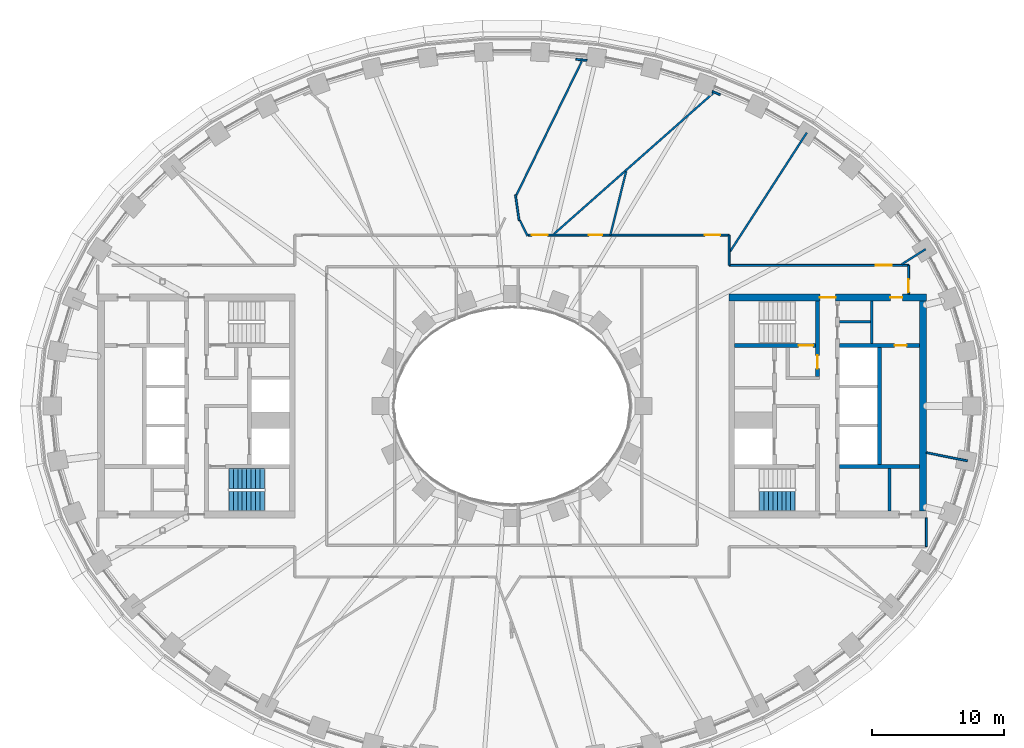
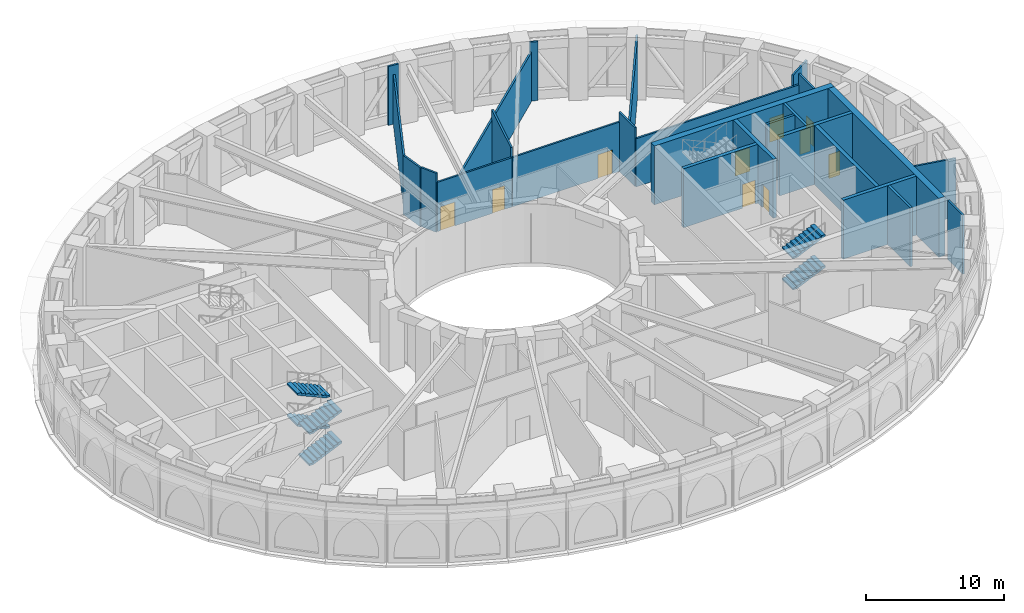
# One storey, part 9 of 25: 26 walls, 10 doors, 6 stair flights, 10 openings, 2 elements without a shape of their own.
"""IFC4 building model written with IfcOpenShell, lengths in metres."""

from ifc_helpers import new_model, si_unit, direction, frame, frame_2d, origin, place, context, subcontext, project, spatial, polyline, rectangle, outline, extrude, material, layer, layer_set, type_object, element, fill, aggregate, save


model = new_model("IFC4")

# Units and contexts
model_context = context("Model", 3, precision=1e-05, world=origin(), true_north=direction((0.0, 1.0)))
body_context = subcontext(model_context, "Body", "Model", "MODEL_VIEW")
ifc_project = project(units=[si_unit("LENGTHUNIT", "METRE"), si_unit("AREAUNIT", "SQUARE_METRE"), si_unit("VOLUMEUNIT", "CUBIC_METRE"), si_unit("PLANEANGLEUNIT", "RADIAN"), si_unit("MASSUNIT", "GRAM", prefix="KILO")], contexts=[model_context])

# Site, building, storey
site_placement = place(None, origin())
site = spatial("IfcSite", under=ifc_project, at=site_placement, CompositionType="ELEMENT")
building_placement = place(site_placement, origin())
building = spatial("IfcBuilding", under=site, at=building_placement, Name="Noorbagh Ring Tower", CompositionType="ELEMENT")
storey_placement = place(building_placement, frame((0.0, 0.0, 82.5)))
storey = spatial("IfcBuildingStorey", under=building, at=storey_placement, Name="L18", CompositionType="ELEMENT", Elevation=82.5)

# Walls
ifc_material_1 = material(Name="Gypsum board on steel studs", Category="steel")
ifc_layer_1 = layer(ifc_material_1, 0.14990234375)
ifc_layer_set_1 = layer_set([ifc_layer_1], Name="Gypsum board on steel studs")
wall_type_1 = type_object("IfcWallType", Name="COMPARTMENT PARTITION 150 EI 60", PredefinedType="PARTITIONING", material=ifc_layer_set_1)
wall_1_placement = place(storey_placement, frame((0.259033203125, 16.052001953125, 0.0), z_axis=(0.0, 0.0, 1.0), x_axis=(0.143027920195, -0.989718653984, 0.0)))
element("IfcWall", 1, at=wall_1_placement, inside=storey, type_object=wall_type_1, Name="L18/wall/P33", PredefinedType="PARTITIONING", context=body_context, shape_type="SweptSolid", body=[
    extrude(rectangle(XDim=1.978271484375, YDim=0.14990234375, at=frame_2d((0.9892578125, 0.0))), origin(), (0.0, 0.0, 1.0), 5.199951171875),
])
wall_2_placement = place(storey_placement, frame((0.3369140625, 16.0400390625, 0.0), z_axis=(0.0, 0.0, 1.0), x_axis=(0.439198527349, 0.898390034214, 0.0)))
element("IfcWall", 2, at=wall_2_placement, inside=storey, type_object=wall_type_1, Name="L18/wall/P34", PredefinedType="PARTITIONING", context=body_context, shape_type="SweptSolid", body=[
    extrude(rectangle(XDim=11.31982421875, YDim=0.14990234375, at=frame_2d((5.659912109375, 0.0))), origin(), (0.0, 0.0, 1.0), 4.39990234375),
])
wall_3_placement = place(storey_placement, frame((0.60791015625, 14.10791015625, 0.0), z_axis=(0.0, 0.0, 1.0), x_axis=(0.439708780633, -0.898140405635, 0.0)))
element("IfcWall", 3, at=wall_3_placement, inside=storey, type_object=wall_type_1, Name="L18/wall/P37", PredefinedType="PARTITIONING", context=body_context, shape_type="SweptSolid", body=[
    extrude(rectangle(XDim=1.31689453125, YDim=0.14990234375, at=frame_2d((0.658447265625, 0.0))), origin(), (0.0, 0.0, 1.0), 5.199951171875),
])

# Wall, openings, doors
wall_4_placement = place(storey_placement, frame((1.23291015625, 13.0, 0.0), z_axis=(0.0, 0.0, 1.0), x_axis=(1.0, 0.0, 0.0)))
wall_4 = element("IfcWall", 4, at=wall_4_placement, inside=storey, type_object=wall_type_1, Name="L18/wall/P39", PredefinedType="PARTITIONING", context=body_context, shape_type="SweptSolid", body=[
    extrude(rectangle(XDim=6.25, YDim=0.14990234375, at=frame_2d((3.125, 0.0))), origin(), (0.0, 0.0, 1.0), 4.35009765625),
])
opening_1_placement = place(wall_4_placement, frame((0.27099609375, 0.0, 0.0)))
opening_1 = element("IfcOpeningElement", 5, at=opening_1_placement, cuts=wall_4, Name="Opening D7", PredefinedType="OPENING", context=body_context, shape_type="SweptSolid", body=[
    extrude(rectangle(XDim=1.199951171875, YDim=2.10009765625, at=frame_2d((0.60009765625, 1.050048828125))), frame((0.0, 0.0849609375, 0.0), z_axis=(0.0, -1.0, 0.0), x_axis=(1.0, 0.0, 0.0)), (0.0, 0.0, 1.0), 0.169921875),
])
opening_2_placement = place(wall_4_placement, frame((4.615966796875, 0.0, 0.0)))
opening_2 = element("IfcOpeningElement", 6, at=opening_2_placement, cuts=wall_4, Name="Opening D6", PredefinedType="OPENING", context=body_context, shape_type="SweptSolid", body=[
    extrude(rectangle(XDim=1.0, YDim=2.10009765625, at=frame_2d((0.5, 1.050048828125))), frame((0.0, 0.0849609375, 0.0), z_axis=(0.0, -1.0, 0.0), x_axis=(1.0, 0.0, 0.0)), (0.0, 0.0, 1.0), 0.169921875),
])
ifc_material_2 = material(Name="Timber, painted", Category="wood")
door_type_1 = type_object("IfcDoorType", Name="DOOR 1000 X 2100 FD60", OperationType="SINGLE_SWING_LEFT", PredefinedType="DOOR", material=ifc_material_2)
door_1_placement = place(opening_2_placement, origin())
door_1 = element("IfcDoor", 7, at=door_1_placement, inside=storey, type_object=door_type_1, Name="L18-D11", OperationType="SINGLE_SWING_LEFT", OverallHeight=2.10009765625, OverallWidth=1.0, PredefinedType="DOOR", context=body_context, shape_type="SweptSolid", body=[
    extrude(rectangle(XDim=1.0, YDim=2.10009765625, at=frame_2d((0.5, 1.050048828125))), frame((0.0, 0.02490234375, 0.0), z_axis=(0.0, -1.0, 0.0), x_axis=(1.0, 0.0, 0.0)), (0.0, 0.0, 1.0), 0.050048828125),
])
fill(opening_2, door_1)
ifc_material_3 = material(Name="Timber, painted", Category="wood")
door_type_2 = type_object("IfcDoorType", Name="DOOR 1200 X 2100 FD60", OperationType="SINGLE_SWING_LEFT", PredefinedType="DOOR", material=ifc_material_3)
door_2_placement = place(opening_1_placement, origin())
door_2 = element("IfcDoor", 8, at=door_2_placement, inside=storey, type_object=door_type_2, Name="L18-D09", OperationType="SINGLE_SWING_LEFT", OverallHeight=2.10009765625, OverallWidth=1.199951171875, PredefinedType="DOOR", context=body_context, shape_type="SweptSolid", body=[
    extrude(rectangle(XDim=1.199951171875, YDim=2.10009765625, at=frame_2d((0.60009765625, 1.050048828125))), frame((0.0, 0.02490234375, 0.0), z_axis=(0.0, -1.0, 0.0), x_axis=(1.0, 0.0, 0.0)), (0.0, 0.0, 1.0), 0.050048828125),
])
fill(opening_1, door_2)

# Walls
wall_5_placement = place(storey_placement, frame((3.18701171875, 13.077880859375, 0.0), z_axis=(0.0, 0.0, 1.0), x_axis=(0.749072740897, 0.662487757506, 0.0)))
element("IfcWall", 9, at=wall_5_placement, inside=storey, type_object=wall_type_1, Name="L18/wall/P40", PredefinedType="PARTITIONING", context=body_context, shape_type="SweptSolid", body=[
    extrude(rectangle(XDim=16.148193359375, YDim=0.14990234375, at=frame_2d((8.07421875, 0.0))), origin(), (0.0, 0.0, 1.0), 4.35009765625),
])
wall_6_placement = place(storey_placement, frame((7.48291015625, 13.0, 0.0), z_axis=(0.0, 0.0, 1.0), x_axis=(0.239672770915, 0.970853728881, 0.0)))
element("IfcWall", 10, at=wall_6_placement, inside=storey, type_object=wall_type_1, Name="L18/wall/P46", PredefinedType="PARTITIONING", context=body_context, shape_type="SweptSolid", body=[
    extrude(rectangle(XDim=4.97802734375, YDim=0.14990234375, at=frame_2d((2.489013671875, 0.0))), origin(), (0.0, 0.0, 1.0), 5.199951171875),
])

# Wall, opening, door
wall_7_placement = place(storey_placement, frame((7.4990234375, 13.0, 0.0), z_axis=(0.0, 0.0, 1.0), x_axis=(1.0, 0.0, 0.0)))
wall_7 = element("IfcWall", 11, at=wall_7_placement, inside=storey, type_object=wall_type_1, Name="L18/wall/P47", PredefinedType="PARTITIONING", context=body_context, shape_type="SweptSolid", body=[
    extrude(rectangle(XDim=9.0009765625, YDim=0.14990234375, at=frame_2d((4.50048828125, 0.0))), origin(), (0.0, 0.0, 1.0), 4.35009765625),
])
opening_3_placement = place(wall_7_placement, frame((7.15087890625, 0.0, 0.0)))
opening_3 = element("IfcOpeningElement", 12, at=opening_3_placement, cuts=wall_7, Name="Opening D7", PredefinedType="OPENING", context=body_context, shape_type="SweptSolid", body=[
    extrude(rectangle(XDim=1.199951171875, YDim=2.10009765625, at=frame_2d((0.60009765625, 1.050048828125))), frame((0.0, 0.0849609375, 0.0), z_axis=(0.0, -1.0, 0.0), x_axis=(1.0, 0.0, 0.0)), (0.0, 0.0, 1.0), 0.169921875),
])
door_3_placement = place(opening_3_placement, origin())
door_3 = element("IfcDoor", 13, at=door_3_placement, inside=storey, type_object=door_type_2, Name="L18-D13", OperationType="SINGLE_SWING_LEFT", OverallHeight=2.10009765625, OverallWidth=1.199951171875, PredefinedType="DOOR", context=body_context, shape_type="SweptSolid", body=[
    extrude(rectangle(XDim=1.199951171875, YDim=2.10009765625, at=frame_2d((0.60009765625, 1.050048828125))), frame((0.0, 0.02490234375, 0.0), z_axis=(0.0, -1.0, 0.0), x_axis=(1.0, 0.0, 0.0)), (0.0, 0.0, 1.0), 0.050048828125),
])
fill(opening_3, door_3)

# Wall
wall_8_placement = place(storey_placement, frame((16.5, 10.699951171875, 0.0), z_axis=(0.0, 0.0, 1.0), x_axis=(0.0, 1.0, 0.0)))
element("IfcWall", 14, at=wall_8_placement, inside=storey, type_object=wall_type_1, Name="L18/wall/P53", PredefinedType="PARTITIONING", context=body_context, shape_type="SweptSolid", body=[
    extrude(rectangle(XDim=2.300048828125, YDim=0.14990234375, at=frame_2d((1.14990234375, 0.0))), origin(), (0.0, 0.0, 1.0), 5.199951171875),
])

# Wall, opening, door
wall_9_placement = place(storey_placement, frame((16.5, 10.699951171875, 0.0), z_axis=(0.0, 0.0, 1.0), x_axis=(1.0, 0.0, 0.0)))
wall_9 = element("IfcWall", 15, at=wall_9_placement, inside=storey, type_object=wall_type_1, Name="L18/wall/P54", PredefinedType="PARTITIONING", context=body_context, shape_type="SweptSolid", body=[
    extrude(rectangle(XDim=13.64990234375, YDim=0.14990234375, at=frame_2d((6.824951171875, 0.0))), origin(), (0.0, 0.0, 1.0), 4.25),
])
opening_4_placement = place(wall_9_placement, frame((11.1708984375, 0.0, 0.0)))
opening_4 = element("IfcOpeningElement", 16, at=opening_4_placement, cuts=wall_9, Name="Opening D7", PredefinedType="OPENING", context=body_context, shape_type="SweptSolid", body=[
    extrude(rectangle(XDim=1.199951171875, YDim=2.10009765625, at=frame_2d((0.60009765625, 1.050048828125))), frame((0.0, 0.0849609375, 0.0), z_axis=(0.0, -1.0, 0.0), x_axis=(1.0, 0.0, 0.0)), (0.0, 0.0, 1.0), 0.169921875),
])
door_4_placement = place(opening_4_placement, origin())
door_4 = element("IfcDoor", 17, at=door_4_placement, inside=storey, type_object=door_type_2, Name="L18-D15", OperationType="SINGLE_SWING_LEFT", OverallHeight=2.10009765625, OverallWidth=1.199951171875, PredefinedType="DOOR", context=body_context, shape_type="SweptSolid", body=[
    extrude(rectangle(XDim=1.199951171875, YDim=2.10009765625, at=frame_2d((0.60009765625, 1.050048828125))), frame((0.0, 0.02490234375, 0.0), z_axis=(0.0, -1.0, 0.0), x_axis=(1.0, 0.0, 0.0)), (0.0, 0.0, 1.0), 0.050048828125),
])
fill(opening_4, door_4)

# Walls
wall_10_placement = place(storey_placement, frame((16.574951171875, 11.73291015625, 0.0), z_axis=(0.0, 0.0, 1.0), x_axis=(0.542237854087, 0.840225035092, 0.0)))
element("IfcWall", 18, at=wall_10_placement, inside=storey, type_object=wall_type_1, Name="L18/wall/P55", PredefinedType="PARTITIONING", context=body_context, shape_type="SweptSolid", body=[
    extrude(rectangle(XDim=10.772216796875, YDim=0.14990234375, at=frame_2d((5.38623046875, 0.0))), origin(), (0.0, 0.0, 1.0), 5.199951171875),
])
wall_11_placement = place(storey_placement, frame((29.636962890625, 10.777099609375, 0.0), z_axis=(0.0, 0.0, 1.0), x_axis=(0.844747041197, 0.535165802709, 0.0)))
element("IfcWall", 19, at=wall_11_placement, inside=storey, type_object=wall_type_1, Name="L18/wall/P57", PredefinedType="PARTITIONING", context=body_context, shape_type="SweptSolid", body=[
    extrude(rectangle(XDim=2.14501953125, YDim=0.14990234375, at=frame_2d((1.072509765625, 0.0))), origin(), (0.0, 0.0, 1.0), 5.199951171875),
])
wall_12_placement = place(storey_placement, frame((31.5, -10.699951171875, 0.0), z_axis=(0.0, 0.0, 1.0), x_axis=(0.0, 1.0, 0.0)))
element("IfcWall", 20, at=wall_12_placement, inside=storey, type_object=wall_type_1, Name="L18/wall/P58", PredefinedType="PARTITIONING", context=body_context, shape_type="SweptSolid", body=[
    extrude(rectangle(XDim=2.199951171875, YDim=0.14990234375, at=frame_2d((1.10009765625, 0.0))), origin(), (0.0, 0.0, 1.0), 5.199951171875),
])
wall_13_placement = place(storey_placement, frame((31.5, -3.5419921875, 0.0), z_axis=(0.0, 0.0, 1.0), x_axis=(0.98034430806, -0.197294291997, 0.0)))
element("IfcWall", 21, at=wall_13_placement, inside=storey, type_object=wall_type_1, Name="L18/wall/P59", PredefinedType="PARTITIONING", context=body_context, shape_type="SweptSolid", body=[
    extrude(rectangle(XDim=3.187744140625, YDim=0.14990234375, at=frame_2d((1.59375, 0.0))), origin(), (0.0, 0.0, 1.0), 5.199951171875),
])

# Wall, opening, door
wall_14_placement = place(storey_placement, frame((30.14990234375, 8.5, 0.0), z_axis=(0.0, 0.0, 1.0), x_axis=(0.0, 1.0, 0.0)))
wall_14 = element("IfcWall", 22, at=wall_14_placement, inside=storey, type_object=wall_type_1, Name="L18/wall/P60", PredefinedType="PARTITIONING", context=body_context, shape_type="SweptSolid", body=[
    extrude(rectangle(XDim=2.199951171875, YDim=0.14990234375, at=frame_2d((1.10009765625, 0.0))), origin(), (0.0, 0.0, 1.0), 5.199951171875),
])
opening_5_placement = place(wall_14_placement, frame((0.14990234375, 0.0, 0.0)))
opening_5 = element("IfcOpeningElement", 23, at=opening_5_placement, cuts=wall_14, Name="Opening D6", PredefinedType="OPENING", context=body_context, shape_type="SweptSolid", body=[
    extrude(rectangle(XDim=1.0, YDim=2.10009765625, at=frame_2d((0.5, 1.050048828125))), frame((0.0, 0.0849609375, 0.0), z_axis=(0.0, -1.0, 0.0), x_axis=(1.0, 0.0, 0.0)), (0.0, 0.0, 1.0), 0.169921875),
])
door_5_placement = place(opening_5_placement, origin())
door_5 = element("IfcDoor", 24, at=door_5_placement, inside=storey, type_object=door_type_1, Name="L18-D17", OperationType="SINGLE_SWING_LEFT", OverallHeight=2.10009765625, OverallWidth=1.0, PredefinedType="DOOR", context=body_context, shape_type="SweptSolid", body=[
    extrude(rectangle(XDim=1.0, YDim=2.10009765625, at=frame_2d((0.5, 1.050048828125))), frame((0.0, 0.02490234375, 0.0), z_axis=(0.0, -1.0, 0.0), x_axis=(1.0, 0.0, 0.0)), (0.0, 0.0, 1.0), 0.050048828125),
])
fill(opening_5, door_5)

# Walls
wall_15_placement = place(storey_placement, frame((5.704833984375, 26.27685546875, 0.0), z_axis=(0.0, 0.0, 1.0), x_axis=(-0.995485124943, 0.094917680217, 0.0)))
element("IfcWall", 25, at=wall_15_placement, inside=storey, type_object=wall_type_1, Name="L18/wall/P64", PredefinedType="PARTITIONING", context=body_context, shape_type="SweptSolid", body=[
    extrude(rectangle(XDim=0.848876953125, YDim=0.14990234375, at=frame_2d((0.42431640625, 0.0))), origin(), (0.0, 0.0, 1.0), 5.199951171875),
])
wall_16_placement = place(storey_placement, frame((15.8359375, 23.663330078125, 0.0), z_axis=(0.0, 0.0, 1.0), x_axis=(-0.921788792794, 0.387692431549, 0.0)))
element("IfcWall", 26, at=wall_16_placement, inside=storey, type_object=wall_type_1, Name="L18/wall/P65", PredefinedType="PARTITIONING", context=body_context, shape_type="SweptSolid", body=[
    extrude(rectangle(XDim=0.65869140625, YDim=0.14990234375, at=frame_2d((0.329345703125, 0.0))), origin(), (0.0, 0.0, 1.0), 5.199951171875),
])
ifc_material_4 = material(Name="Gypsum board on steel studs", Category="steel")
ifc_layer_2 = layer(ifc_material_4, 0.199951171875)
ifc_layer_set_2 = layer_set([ifc_layer_2], Name="Gypsum board on steel studs")
wall_type_2 = type_object("IfcWallType", Name="CORE-PARTITION-200", PredefinedType="PARTITIONING", material=ifc_layer_set_2)
for number, where, z_axis, x_axis, name in (
    (27, (27.35009765625, 4.75, 0.0), (0.0, 0.0, 1.0), (0.0, 1.0, 0.0), "Core partition E"),
    (28, (28.699951171875, -8.0, 0.0), (0.0, 0.0, 1.0), (0.0, 1.0, 0.0), "Core partition E"),
):
    element("IfcWall", number, at=place(storey_placement, frame(where, z_axis=z_axis, x_axis=x_axis)), inside=storey, type_object=wall_type_2, Name=name, PredefinedType="PARTITIONING", context=body_context, shape_type="SweptSolid", body=[
        extrude(rectangle(XDim=3.25, YDim=0.199951171875, at=frame_2d((1.625, 0.0))), origin(), (0.0, 0.0, 1.0), 5.199951171875),
    ])
wall_17_placement = place(storey_placement, frame((24.89990234375, 6.39990234375, 0.0), z_axis=(0.0, 0.0, 1.0), x_axis=(1.0, 0.0, 0.0)))
element("IfcWall", 29, at=wall_17_placement, inside=storey, type_object=wall_type_2, Name="Core partition E", PredefinedType="PARTITIONING", context=body_context, shape_type="SweptSolid", body=[
    extrude(rectangle(XDim=2.35009765625, YDim=0.199951171875, at=frame_2d((1.175048828125, 0.0))), origin(), (0.0, 0.0, 1.0), 5.199951171875),
])
ifc_material_5 = material(Name="Concrete C70/85", Category="concrete")
ifc_layer_3 = layer(ifc_material_5, 0.300048828125)
ifc_layer_set_3 = layer_set([ifc_layer_3], Name="Concrete C70/85")
wall_type_3 = type_object("IfcWallType", Name="CORE-WALL-300-C70-85-EI120", PredefinedType="SHEAR", material=ifc_layer_set_3)
wall_18_placement = place(storey_placement, frame((27.949951171875, -4.449951171875, 0.0), z_axis=(0.0, 0.0, 1.0), x_axis=(0.0, 1.0, 0.0)))
element("IfcWall", 30, at=wall_18_placement, inside=storey, type_object=wall_type_3, Name="Core wall E", PredefinedType="SHEAR", context=body_context, shape_type="SweptSolid", body=[
    extrude(rectangle(XDim=8.89990234375, YDim=0.300048828125, at=frame_2d((4.449951171875, 0.0))), origin(), (0.0, 0.0, 1.0), 5.199951171875),
])

# Wall, opening, door
ifc_material_6 = material(Name="Concrete C70/85", Category="concrete")
ifc_layer_4 = layer(ifc_material_6, 0.300048828125)
ifc_layer_set_4 = layer_set([ifc_layer_4], Name="Concrete C70/85")
wall_type_4 = type_object("IfcWallType", Name="CORE-WALL-300-C70-85-EI240", PredefinedType="SHEAR", material=ifc_layer_set_4)
wall_19_placement = place(storey_placement, frame((24.89990234375, 4.60009765625, 0.0), z_axis=(0.0, 0.0, 1.0), x_axis=(1.0, 0.0, 0.0)))
wall_19 = element("IfcWall", 31, at=wall_19_placement, inside=storey, type_object=wall_type_4, Name="Core wall E", PredefinedType="SHEAR", context=body_context, shape_type="SweptSolid", body=[
    extrude(rectangle(XDim=6.10009765625, YDim=0.300048828125, at=frame_2d((3.050048828125, 0.0))), origin(), (0.0, 0.0, 1.0), 5.199951171875),
])
opening_6_placement = place(wall_19_placement, frame((4.199951171875, 0.0, 0.0)))
opening_6 = element("IfcOpeningElement", 32, at=opening_6_placement, cuts=wall_19, Name="Opening L18-CE18", PredefinedType="OPENING", context=body_context, shape_type="SweptSolid", body=[
    extrude(rectangle(XDim=0.89990234375, YDim=2.10009765625, at=frame_2d((0.449951171875, 1.050048828125))), frame((0.0, 0.16015625, 0.0), z_axis=(0.0, -1.0, 0.0), x_axis=(1.0, 0.0, 0.0)), (0.0, 0.0, 1.0), 0.320068359375),
])
ifc_material_7 = material(Name="Steel door leaf", Category="steel")
door_type_3 = type_object("IfcDoorType", Name="CORE-DOOR-DROOM", OperationType="SINGLE_SWING_LEFT", PredefinedType="DOOR", material=ifc_material_7)
door_6_placement = place(opening_6_placement, origin())
door_6 = element("IfcDoor", 33, at=door_6_placement, inside=storey, type_object=door_type_3, Name="Core room door L18-CE18", OperationType="SINGLE_SWING_RIGHT", OverallHeight=2.10009765625, OverallWidth=0.89990234375, PredefinedType="DOOR", context=body_context, shape_type="SweptSolid", body=[
    extrude(rectangle(XDim=0.89990234375, YDim=2.10009765625, at=frame_2d((0.449951171875, 1.050048828125))), frame((0.0, 0.02490234375, 0.0), z_axis=(0.0, -1.0, 0.0), x_axis=(1.0, 0.0, 0.0)), (0.0, 0.0, 1.0), 0.050048828125),
])
fill(opening_6, door_6)

# Wall
wall_20_placement = place(storey_placement, frame((24.89990234375, -4.60009765625, 0.0), z_axis=(0.0, 0.0, 1.0), x_axis=(1.0, 0.0, 0.0)))
element("IfcWall", 34, at=wall_20_placement, inside=storey, type_object=wall_type_4, Name="Core wall E", PredefinedType="SHEAR", context=body_context, shape_type="SweptSolid", body=[
    extrude(rectangle(XDim=6.10009765625, YDim=0.300048828125, at=frame_2d((3.050048828125, 0.0))), origin(), (0.0, 0.0, 1.0), 5.199951171875),
])

# Wall, opening, door
wall_21_placement = place(storey_placement, frame((23.22998046875, 2.25, 0.0), z_axis=(0.0, 0.0, 1.0), x_axis=(0.0, 1.0, 0.0)))
wall_21 = element("IfcWall", 35, at=wall_21_placement, inside=storey, type_object=wall_type_4, Name="Core wall E", PredefinedType="SHEAR", context=body_context, shape_type="SweptSolid", body=[
    extrude(rectangle(XDim=5.75, YDim=0.300048828125, at=frame_2d((2.875, 0.0))), origin(), (0.0, 0.0, 1.0), 5.199951171875),
])
opening_7_placement = place(wall_21_placement, frame((0.60009765625, 0.0, 0.0)))
opening_7 = element("IfcOpeningElement", 36, at=opening_7_placement, cuts=wall_21, Name="Opening L18-CE08", PredefinedType="OPENING", context=body_context, shape_type="SweptSolid", body=[
    extrude(rectangle(XDim=1.0, YDim=2.10009765625, at=frame_2d((0.5, 1.050048828125))), frame((0.0, 0.16015625, 0.0), z_axis=(0.0, -1.0, 0.0), x_axis=(1.0, 0.0, 0.0)), (0.0, 0.0, 1.0), 0.320068359375),
])
ifc_material_8 = material(Name="Steel door leaf", Category="steel")
door_type_4 = type_object("IfcDoorType", Name="CORE-DOOR-DVEST", OperationType="SINGLE_SWING_LEFT", PredefinedType="DOOR", material=ifc_material_8)
door_7_placement = place(opening_7_placement, origin())
door_7 = element("IfcDoor", 37, at=door_7_placement, inside=storey, type_object=door_type_4, Name="Stair vestibule door L18-CE08", OperationType="SINGLE_SWING_RIGHT", OverallHeight=2.10009765625, OverallWidth=1.0, PredefinedType="DOOR", context=body_context, shape_type="SweptSolid", body=[
    extrude(rectangle(XDim=1.0, YDim=2.10009765625, at=frame_2d((0.5, 1.050048828125))), frame((0.0, 0.02490234375, 0.0), z_axis=(0.0, -1.0, 0.0), x_axis=(1.0, 0.0, 0.0)), (0.0, 0.0, 1.0), 0.050048828125),
])
fill(opening_7, door_7)

wall_22_placement = place(storey_placement, frame((16.89990234375, 4.60009765625, 0.0), z_axis=(0.0, 0.0, 1.0), x_axis=(1.0, 0.0, 0.0)))
wall_22 = element("IfcWall", 38, at=wall_22_placement, inside=storey, type_object=wall_type_4, Name="Core wall E", PredefinedType="SHEAR", context=body_context, shape_type="SweptSolid", body=[
    extrude(rectangle(XDim=6.18017578125, YDim=0.300048828125, at=frame_2d((3.090087890625, 0.0))), origin(), (0.0, 0.0, 1.0), 5.199951171875),
])
opening_8_placement = place(wall_22_placement, frame((4.89990234375, 0.0, 0.0)))
opening_8 = element("IfcOpeningElement", 39, at=opening_8_placement, cuts=wall_22, Name="Opening L18-CE05", PredefinedType="OPENING", context=body_context, shape_type="SweptSolid", body=[
    extrude(rectangle(XDim=1.10009765625, YDim=2.10009765625, at=frame_2d((0.550048828125, 1.050048828125))), frame((0.0, 0.16015625, 0.0), z_axis=(0.0, -1.0, 0.0), x_axis=(1.0, 0.0, 0.0)), (0.0, 0.0, 1.0), 0.320068359375),
])
ifc_material_9 = material(Name="Steel door leaf", Category="steel")
door_type_5 = type_object("IfcDoorType", Name="CORE-DOOR-DSTAIR", OperationType="SINGLE_SWING_LEFT", PredefinedType="DOOR", material=ifc_material_9)
door_8_placement = place(opening_8_placement, origin())
door_8 = element("IfcDoor", 40, at=door_8_placement, inside=storey, type_object=door_type_5, Name="Stair door ST3 L18-CE05", OperationType="SINGLE_SWING_LEFT", OverallHeight=2.10009765625, OverallWidth=1.10009765625, PredefinedType="DOOR", context=body_context, shape_type="SweptSolid", body=[
    extrude(rectangle(XDim=1.10009765625, YDim=2.10009765625, at=frame_2d((0.550048828125, 1.050048828125))), frame((0.0, 0.02490234375, 0.0), z_axis=(0.0, -1.0, 0.0), x_axis=(1.0, 0.0, 0.0)), (0.0, 0.0, 1.0), 0.050048828125),
])
fill(opening_8, door_8)

# Wall, openings, doors
ifc_material_10 = material(Name="Concrete C70/85", Category="concrete")
ifc_layer_5 = layer(ifc_material_10, 0.5)
ifc_layer_set_5 = layer_set([ifc_layer_5], Name="Concrete C70/85")
wall_type_5 = type_object("IfcWallType", Name="CORE-WALL-500-C70-85-EI240", PredefinedType="SHEAR", material=ifc_layer_set_5)
wall_23_placement = place(storey_placement, frame((16.5, 8.25, 0.0), z_axis=(0.0, 0.0, 1.0), x_axis=(1.0, 0.0, 0.0)))
wall_23 = element("IfcWall", 41, at=wall_23_placement, inside=storey, type_object=wall_type_5, Name="Core wall E", PredefinedType="SHEAR", context=body_context, shape_type="SweptSolid", body=[
    extrude(rectangle(XDim=15.0, YDim=0.5, at=frame_2d((7.5, 0.0))), origin(), (0.0, 0.0, 1.0), 5.199951171875),
])
opening_9_placement = place(wall_23_placement, frame((6.89990234375, 0.0, 0.0)))
opening_9 = element("IfcOpeningElement", 42, at=opening_9_placement, cuts=wall_23, Name="Opening L18-CE09", PredefinedType="OPENING", context=body_context, shape_type="SweptSolid", body=[
    extrude(rectangle(XDim=1.199951171875, YDim=2.10009765625, at=frame_2d((0.60009765625, 1.050048828125))), frame((0.0, 0.260009765625, 0.0), z_axis=(0.0, -1.0, 0.0), x_axis=(1.0, 0.0, 0.0)), (0.0, 0.0, 1.0), 0.52001953125),
])
opening_10_placement = place(wall_23_placement, frame((12.27490234375, 0.0, 0.0)))
opening_10 = element("IfcOpeningElement", 43, at=opening_10_placement, cuts=wall_23, Name="Opening L18-CE15", PredefinedType="OPENING", context=body_context, shape_type="SweptSolid", body=[
    extrude(rectangle(XDim=0.89990234375, YDim=2.10009765625, at=frame_2d((0.449951171875, 1.050048828125))), frame((0.0, 0.260009765625, 0.0), z_axis=(0.0, -1.0, 0.0), x_axis=(1.0, 0.0, 0.0)), (0.0, 0.0, 1.0), 0.52001953125),
])
door_9_placement = place(opening_10_placement, origin())
door_9 = element("IfcDoor", 44, at=door_9_placement, inside=storey, type_object=door_type_3, Name="Core room door L18-CE15", OperationType="SINGLE_SWING_LEFT", OverallHeight=2.10009765625, OverallWidth=0.89990234375, PredefinedType="DOOR", context=body_context, shape_type="SweptSolid", body=[
    extrude(rectangle(XDim=0.89990234375, YDim=2.10009765625, at=frame_2d((0.449951171875, 1.050048828125))), frame((0.0, 0.02490234375, 0.0), z_axis=(0.0, -1.0, 0.0), x_axis=(1.0, 0.0, 0.0)), (0.0, 0.0, 1.0), 0.050048828125),
])
fill(opening_10, door_9)
ifc_material_11 = material(Name="Steel door leaf", Category="steel")
door_type_6 = type_object("IfcDoorType", Name="CORE-DOOR-PORT", OperationType="DOUBLE_DOOR_DOUBLE_SWING", PredefinedType="DOOR", material=ifc_material_11)
door_10_placement = place(opening_9_placement, origin())
door_10 = element("IfcDoor", 45, at=door_10_placement, inside=storey, type_object=door_type_6, Name="Core entrance door L18-CE09", OperationType="DOUBLE_DOOR_DOUBLE_SWING", OverallHeight=2.10009765625, OverallWidth=1.199951171875, PredefinedType="DOOR", context=body_context, shape_type="SweptSolid", body=[
    extrude(rectangle(XDim=1.199951171875, YDim=2.10009765625, at=frame_2d((0.60009765625, 1.050048828125))), frame((0.0, 0.02490234375, 0.0), z_axis=(0.0, -1.0, 0.0), x_axis=(1.0, 0.0, 0.0)), (0.0, 0.0, 1.0), 0.050048828125),
])
fill(opening_9, door_10)

# Wall
wall_24_placement = place(storey_placement, frame((31.25, -8.0, 0.0), z_axis=(0.0, 0.0, 1.0), x_axis=(0.0, 1.0, 0.0)))
element("IfcWall", 46, at=wall_24_placement, inside=storey, type_object=wall_type_5, Name="Core wall E", PredefinedType="SHEAR", context=body_context, shape_type="SweptSolid", body=[
    extrude(rectangle(XDim=16.0, YDim=0.5, at=frame_2d((8.0, 0.0))), origin(), (0.0, 0.0, 1.0), 5.199951171875),
])

# Stair, stair flights
ifc_material_12 = material(Name="Concrete C40/50", Category="concrete")
stair_type = type_object("IfcStairType", Name="CORE-STAIR", PredefinedType="HALF_TURN_STAIR", material=ifc_material_12)
stair_1_placement = place(storey_placement, origin())
stair_1 = element("IfcStair", 47, at=stair_1_placement, inside=storey, type_object=stair_type, Name="L18 Exit stair ST2", PredefinedType="HALF_TURN_STAIR")
ifc_material_13 = material(Name="Concrete C40/50", Category="concrete")
stair_flight_type = type_object("IfcStairFlightType", Name="CORE-STAIR-FLIGHT", PredefinedType="STRAIGHT", material=ifc_material_13)
stair_flight_1_placement = place(storey_placement, frame((-21.530029296875, -7.22509765625, 0.0), z_axis=(0.0, 0.0, 1.0), x_axis=(1.0, 0.0, 0.0)))
stair_flight_1 = element("IfcStairFlight", 48, at=stair_flight_1_placement, type_object=stair_flight_type, Name="ST2 flight 1", NumberOfRisers=9, NumberOfTreads=8, PredefinedType="STRAIGHT", RiserHeight=0.152777778, TreadLength=0.34, context=body_context, shape_type="SweptSolid", body=[
    extrude(outline(polyline([(0.0, 0.0), (0.0, 0.15283203125), (0.340087890625, 0.15283203125), (0.340087890625, 0.3056640625), (0.679931640625, 0.3056640625), (0.679931640625, 0.458251953125), (1.02001953125, 0.458251953125), (1.02001953125, 0.611083984375), (1.360107421875, 0.611083984375), (1.360107421875, 0.763916015625), (1.699951171875, 0.763916015625), (1.699951171875, 0.916748046875), (2.0400390625, 0.916748046875), (2.0400390625, 1.0693359375), (2.3798828125, 1.0693359375), (2.3798828125, 1.22216796875), (2.719970703125, 1.22216796875), (2.719970703125, 1.375), (2.719970703125, 1.057861328125), (0.36572265625, 0.0), (0.0, 0.0)])), frame((0.0, 0.77490234375, 0.0), z_axis=(0.0, -1.0, 0.0), x_axis=(1.0, 0.0, 0.0)), (0.0, 0.0, 1.0), 1.550048828125),
])
stair_flight_2_placement = place(storey_placement, frame((-18.81005859375, -5.52490234375, 1.375), z_axis=(0.0, 0.0, 1.0), x_axis=(-1.0, 0.0, 0.0)))
stair_flight_2 = element("IfcStairFlight", 49, at=stair_flight_2_placement, type_object=stair_flight_type, Name="ST2 flight 2", NumberOfRisers=9, NumberOfTreads=8, PredefinedType="STRAIGHT", RiserHeight=0.152777778, TreadLength=0.34, context=body_context, shape_type="SweptSolid", body=[
    extrude(outline(polyline([(0.0, 0.0), (0.0, 0.15283203125), (0.340087890625, 0.15283203125), (0.340087890625, 0.3056640625), (0.679931640625, 0.3056640625), (0.679931640625, 0.458251953125), (1.02001953125, 0.458251953125), (1.02001953125, 0.611083984375), (1.360107421875, 0.611083984375), (1.360107421875, 0.763916015625), (1.699951171875, 0.763916015625), (1.699951171875, 0.916748046875), (2.0400390625, 0.916748046875), (2.0400390625, 1.0693359375), (2.3798828125, 1.0693359375), (2.3798828125, 1.22216796875), (2.719970703125, 1.22216796875), (2.719970703125, 1.375), (2.719970703125, 1.057861328125), (0.36572265625, 0.0), (0.0, 0.0)])), frame((0.0, 0.77490234375, 0.0), z_axis=(0.0, -1.0, 0.0), x_axis=(1.0, 0.0, 0.0)), (0.0, 0.0, 1.0), 1.550048828125),
])
stair_flight_3_placement = place(storey_placement, frame((-21.530029296875, -7.22509765625, 2.75), z_axis=(0.0, 0.0, 1.0), x_axis=(1.0, 0.0, 0.0)))
stair_flight_3 = element("IfcStairFlight", 50, at=stair_flight_3_placement, type_object=stair_flight_type, Name="ST2 flight 3", NumberOfRisers=9, NumberOfTreads=8, PredefinedType="STRAIGHT", RiserHeight=0.152777778, TreadLength=0.34, context=body_context, shape_type="SweptSolid", body=[
    extrude(outline(polyline([(0.0, 0.0), (0.0, 0.15283203125), (0.340087890625, 0.15283203125), (0.340087890625, 0.3056640625), (0.679931640625, 0.3056640625), (0.679931640625, 0.458251953125), (1.02001953125, 0.458251953125), (1.02001953125, 0.611083984375), (1.360107421875, 0.611083984375), (1.360107421875, 0.763916015625), (1.699951171875, 0.763916015625), (1.699951171875, 0.916748046875), (2.0400390625, 0.916748046875), (2.0400390625, 1.0693359375), (2.3798828125, 1.0693359375), (2.3798828125, 1.22216796875), (2.719970703125, 1.22216796875), (2.719970703125, 1.375), (2.719970703125, 1.057861328125), (0.36572265625, 0.0), (0.0, 0.0)])), frame((0.0, 0.77490234375, 0.0), z_axis=(0.0, -1.0, 0.0), x_axis=(1.0, 0.0, 0.0)), (0.0, 0.0, 1.0), 1.550048828125),
])
stair_flight_4_placement = place(storey_placement, frame((-18.81005859375, -5.52490234375, 4.125), z_axis=(0.0, 0.0, 1.0), x_axis=(-1.0, 0.0, 0.0)))
stair_flight_4 = element("IfcStairFlight", 51, at=stair_flight_4_placement, type_object=stair_flight_type, Name="ST2 flight 4", NumberOfRisers=9, NumberOfTreads=8, PredefinedType="STRAIGHT", RiserHeight=0.152777778, TreadLength=0.34, context=body_context, shape_type="SweptSolid", body=[
    extrude(outline(polyline([(0.0, 0.0), (0.0, 0.15283203125), (0.340087890625, 0.15283203125), (0.340087890625, 0.3056640625), (0.679931640625, 0.3056640625), (0.679931640625, 0.458251953125), (1.02001953125, 0.458251953125), (1.02001953125, 0.611083984375), (1.360107421875, 0.611083984375), (1.360107421875, 0.763916015625), (1.699951171875, 0.763916015625), (1.699951171875, 0.916748046875), (2.0400390625, 0.916748046875), (2.0400390625, 1.0693359375), (2.3798828125, 1.0693359375), (2.3798828125, 1.22216796875), (2.719970703125, 1.22216796875), (2.719970703125, 1.375), (2.719970703125, 1.057861328125), (0.36572265625, 0.0), (0.0, 0.0)])), frame((0.0, 0.77490234375, 0.0), z_axis=(0.0, -1.0, 0.0), x_axis=(1.0, 0.0, 0.0)), (0.0, 0.0, 1.0), 1.550048828125),
])
aggregate(stair_1, [stair_flight_1, stair_flight_2, stair_flight_3, stair_flight_4])

stair_2_placement = place(storey_placement, origin())
stair_2 = element("IfcStair", 52, at=stair_2_placement, inside=storey, type_object=stair_type, Name="L18 Exit stair ST4", PredefinedType="HALF_TURN_STAIR")
stair_flight_5_placement = place(storey_placement, frame((18.81005859375, -7.22509765625, 1.375), z_axis=(0.0, 0.0, 1.0), x_axis=(1.0, 0.0, 0.0)))
stair_flight_5 = element("IfcStairFlight", 53, at=stair_flight_5_placement, type_object=stair_flight_type, Name="ST4 flight 2", NumberOfRisers=9, NumberOfTreads=8, PredefinedType="STRAIGHT", RiserHeight=0.152777778, TreadLength=0.34, context=body_context, shape_type="SweptSolid", body=[
    extrude(outline(polyline([(0.0, 0.0), (0.0, 0.15283203125), (0.340087890625, 0.15283203125), (0.340087890625, 0.3056640625), (0.679931640625, 0.3056640625), (0.679931640625, 0.458251953125), (1.02001953125, 0.458251953125), (1.02001953125, 0.611083984375), (1.360107421875, 0.611083984375), (1.360107421875, 0.763916015625), (1.699951171875, 0.763916015625), (1.699951171875, 0.916748046875), (2.0400390625, 0.916748046875), (2.0400390625, 1.0693359375), (2.3798828125, 1.0693359375), (2.3798828125, 1.22216796875), (2.719970703125, 1.22216796875), (2.719970703125, 1.375), (2.719970703125, 1.057861328125), (0.36572265625, 0.0), (0.0, 0.0)])), frame((0.0, 0.77490234375, 0.0), z_axis=(0.0, -1.0, 0.0), x_axis=(1.0, 0.0, 0.0)), (0.0, 0.0, 1.0), 1.550048828125),
])
stair_flight_6_placement = place(storey_placement, frame((18.81005859375, -7.22509765625, 4.125), z_axis=(0.0, 0.0, 1.0), x_axis=(1.0, 0.0, 0.0)))
stair_flight_6 = element("IfcStairFlight", 54, at=stair_flight_6_placement, type_object=stair_flight_type, Name="ST4 flight 4", NumberOfRisers=9, NumberOfTreads=8, PredefinedType="STRAIGHT", RiserHeight=0.152777778, TreadLength=0.34, context=body_context, shape_type="SweptSolid", body=[
    extrude(outline(polyline([(0.0, 0.0), (0.0, 0.15283203125), (0.340087890625, 0.15283203125), (0.340087890625, 0.3056640625), (0.679931640625, 0.3056640625), (0.679931640625, 0.458251953125), (1.02001953125, 0.458251953125), (1.02001953125, 0.611083984375), (1.360107421875, 0.611083984375), (1.360107421875, 0.763916015625), (1.699951171875, 0.763916015625), (1.699951171875, 0.916748046875), (2.0400390625, 0.916748046875), (2.0400390625, 1.0693359375), (2.3798828125, 1.0693359375), (2.3798828125, 1.22216796875), (2.719970703125, 1.22216796875), (2.719970703125, 1.375), (2.719970703125, 1.057861328125), (0.36572265625, 0.0), (0.0, 0.0)])), frame((0.0, 0.77490234375, 0.0), z_axis=(0.0, -1.0, 0.0), x_axis=(1.0, 0.0, 0.0)), (0.0, 0.0, 1.0), 1.550048828125),
])
aggregate(stair_2, [stair_flight_5, stair_flight_6])

save(model, "model.ifc")
